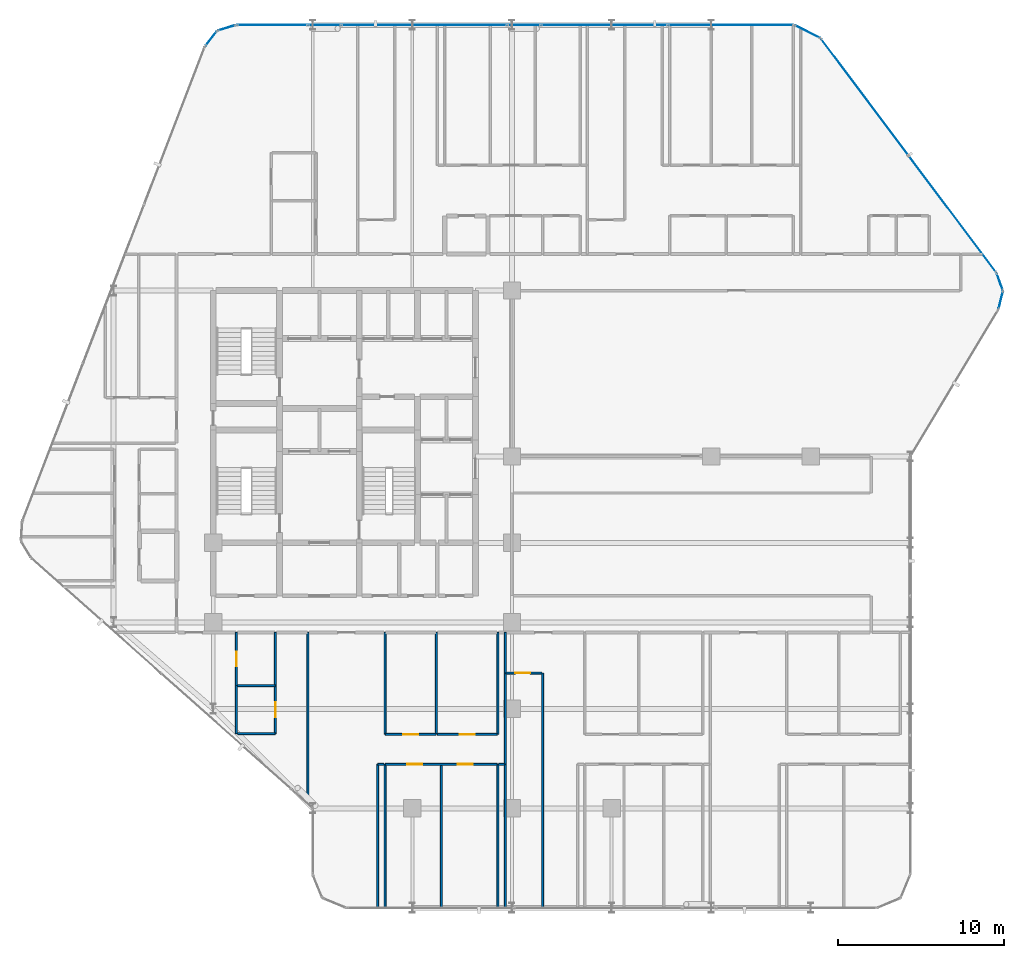
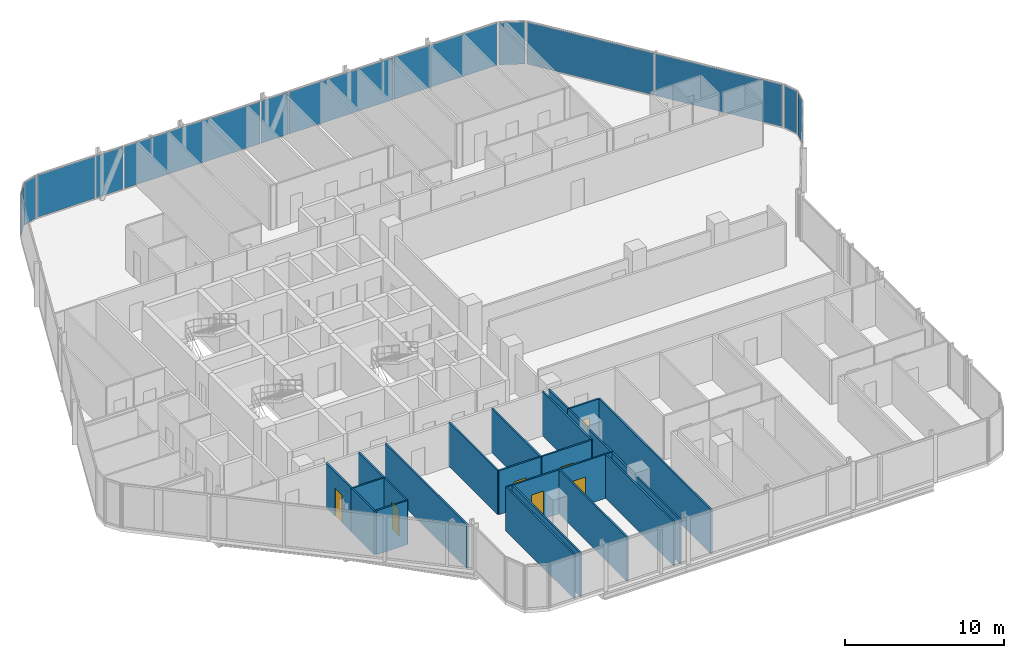
# One storey, part 22 of 29: 24 walls, 13 plates, 7 doors, 7 openings, 11 elements without a shape of their own.
"""IFC4 building model written with IfcOpenShell, lengths in metres."""

from ifc_helpers import new_model, si_unit, direction, frame, frame_2d, origin, origin_2d, place, context, subcontext, project, spatial, rectangle, extrude, material, layer, layer_set, type_object, element, fill, aggregate, save


model = new_model("IFC4")

# Units and contexts
model_context = context("Model", 3, precision=1e-05, world=origin(), true_north=direction((0.0, 1.0)))
body_context = subcontext(model_context, "Body", "Model", "MODEL_VIEW")
ifc_project = project(units=[si_unit("LENGTHUNIT", "METRE"), si_unit("AREAUNIT", "SQUARE_METRE"), si_unit("VOLUMEUNIT", "CUBIC_METRE"), si_unit("PLANEANGLEUNIT", "RADIAN"), si_unit("MASSUNIT", "GRAM", prefix="KILO")], contexts=[model_context])

# Site, building, storey
site_placement = place(None, origin())
site = spatial("IfcSite", under=ifc_project, at=site_placement, CompositionType="ELEMENT")
building_placement = place(site_placement, origin())
building = spatial("IfcBuilding", under=site, at=building_placement, Name="Keshet Zoharim Tower", CompositionType="ELEMENT")
storey_placement = place(building_placement, frame((0.0, 0.0, 94.60009765625)))
storey = spatial("IfcBuildingStorey", under=building, at=storey_placement, Name="L22", CompositionType="ELEMENT", Elevation=94.60009765625)

# Curtain wall, plate
ifc_material_1 = material(Name="Aluminium 6063-T6", Category="aluminium")
ifc_layer_1 = layer(ifc_material_1, 0.159912109375)
ifc_layer_set_1 = layer_set([ifc_layer_1], Name="Aluminium 6063-T6")
curtain_wall_type = type_object("IfcCurtainWallType", Name="CW-SYS-03", PredefinedType="NOTDEFINED", material=ifc_layer_set_1)
curtain_wall_1_placement = place(storey_placement, origin())
curtain_wall_1 = element("IfcCurtainWall", 1, at=curtain_wall_1_placement, inside=storey, type_object=curtain_wall_type, Name="L22 Unitised Curtain Wall 11", PredefinedType="NOTDEFINED")
ifc_material_2 = material(Name="Insulated Low-E Clear Glass", Category="glass")
ifc_layer_2 = layer(ifc_material_2, 0.035888671875)
ifc_layer_set_2 = layer_set([ifc_layer_2], Name="Insulated Low-E Clear Glass")
plate_type_1 = type_object("IfcPlateType", Name="CWP-01", PredefinedType="CURTAIN_PANEL", material=ifc_layer_set_2)
plate_1_placement = place(storey_placement, frame((14.8740234375, 53.08349609375, 0.06982421875), z_axis=(0.0, 0.0, 1.0), x_axis=(0.619124525989, 0.785292825205, 0.0)))
plate_1 = element("IfcPlate", 2, at=plate_1_placement, type_object=plate_type_1, Name="CW-03 panel 1.1", PredefinedType="CURTAIN_PANEL", context=body_context, shape_type="SweptSolid", body=[
    extrude(rectangle(XDim=1.045654296875, YDim=0.035888671875, at=origin_2d()), origin(), (0.0, 0.0, 1.0), 3.2451171875),
])
aggregate(curtain_wall_1, [plate_1])

curtain_wall_2_placement = place(storey_placement, origin())
curtain_wall_2 = element("IfcCurtainWall", 3, at=curtain_wall_2_placement, inside=storey, type_object=curtain_wall_type, Name="L22 Unitised Curtain Wall 12", PredefinedType="NOTDEFINED")
plate_2_placement = place(storey_placement, frame((15.8076171875, 53.724609375, 0.06982421875), z_axis=(0.0, 0.0, 1.0), x_axis=(0.955212151288, 0.295921857984, 0.0)))
plate_2 = element("IfcPlate", 4, at=plate_2_placement, type_object=plate_type_1, Name="CW-03 panel 1.1", PredefinedType="CURTAIN_PANEL", context=body_context, shape_type="SweptSolid", body=[
    extrude(rectangle(XDim=1.046142578125, YDim=0.035888671875, at=origin_2d()), origin(), (0.0, 0.0, 1.0), 3.2451171875),
])
aggregate(curtain_wall_2, [plate_2])

curtain_wall_3_placement = place(storey_placement, origin())
curtain_wall_3 = element("IfcCurtainWall", 5, at=curtain_wall_3_placement, inside=storey, type_object=curtain_wall_type, Name="L22 Unitised Curtain Wall 13", PredefinedType="NOTDEFINED")
ifc_layer_3 = layer(ifc_material_2, 0.031982421875)
ifc_layer_set_3 = layer_set([ifc_layer_3], Name="Insulated Low-E Clear Glass")
plate_type_2 = type_object("IfcPlateType", Name="CWP-02", PredefinedType="CURTAIN_PANEL", material=ifc_layer_set_3)
plate_3_placement = place(storey_placement, frame((18.5556640625, 53.89990234375, 0.06982421875), z_axis=(0.0, 0.0, 1.0), x_axis=(1.0, 0.0, 0.0)))
plate_3 = element("IfcPlate", 6, at=plate_3_placement, type_object=plate_type_2, Name="CW-03 panel 1.1", PredefinedType="CURTAIN_PANEL", context=body_context, shape_type="SweptSolid", body=[
    extrude(rectangle(XDim=4.223388671875, YDim=0.031982421875, at=origin_2d()), origin(), (0.0, 0.0, 1.0), 3.2451171875),
])
aggregate(curtain_wall_3, [plate_3])

curtain_wall_4_placement = place(storey_placement, origin())
curtain_wall_4 = element("IfcCurtainWall", 7, at=curtain_wall_4_placement, inside=storey, type_object=curtain_wall_type, Name="L22 Unitised Curtain Wall 13 Part 3", PredefinedType="NOTDEFINED")
plate_4_placement = place(storey_placement, frame((27.715087890625, 53.89990234375, 0.06982421875), z_axis=(0.0, 0.0, 1.0), x_axis=(1.0, 0.0, 0.0)))
plate_4 = element("IfcPlate", 8, at=plate_4_placement, type_object=plate_type_2, Name="CW-03 panel 1.1", PredefinedType="CURTAIN_PANEL", context=body_context, shape_type="SweptSolid", body=[
    extrude(rectangle(XDim=9.90478515625, YDim=0.031982421875, at=origin_2d()), origin(), (0.0, 0.0, 1.0), 3.2451171875),
])
aggregate(curtain_wall_4, [plate_4])

# Curtain wall, plates
curtain_wall_5_placement = place(storey_placement, origin())
curtain_wall_5 = element("IfcCurtainWall", 9, at=curtain_wall_5_placement, inside=storey, type_object=curtain_wall_type, Name="L22 Unitised Curtain Wall 13 Part 5", PredefinedType="NOTDEFINED")
plate_5_placement = place(storey_placement, frame((38.554443359375, 53.89990234375, 0.06982421875), z_axis=(0.0, 0.0, 1.0), x_axis=(1.0, 0.0, 0.0)))
plate_5 = element("IfcPlate", 10, at=plate_5_placement, type_object=plate_type_2, Name="CW-03 panel 1.1", PredefinedType="CURTAIN_PANEL", context=body_context, shape_type="SweptSolid", body=[
    extrude(rectangle(XDim=7.583740234375, YDim=0.031982421875, at=origin_2d()), origin(), (0.0, 0.0, 1.0), 3.2451171875),
])
plate_6_placement = place(storey_placement, frame((46.173095703125, 53.89990234375, 0.06982421875), z_axis=(0.0, 0.0, 1.0), x_axis=(1.0, 0.0, 0.0)))
plate_6 = element("IfcPlate", 11, at=plate_6_placement, type_object=plate_type_2, Name="CW-03 panel 2.1", PredefinedType="CURTAIN_PANEL", context=body_context, shape_type="SweptSolid", body=[
    extrude(rectangle(XDim=7.513671875, YDim=0.031982421875, at=origin_2d()), origin(), (0.0, 0.0, 1.0), 3.2451171875),
])
aggregate(curtain_wall_5, [plate_5, plate_6])

# Curtain wall, plate
curtain_wall_6_placement = place(storey_placement, origin())
curtain_wall_6 = element("IfcCurtainWall", 12, at=curtain_wall_6_placement, inside=storey, type_object=curtain_wall_type, Name="L22 Unitised Curtain Wall 14", PredefinedType="NOTDEFINED")
plate_7_placement = place(storey_placement, frame((50.800048828125, 53.5, 0.06982421875), z_axis=(0.0, 0.0, 1.0), x_axis=(0.894427191001, -0.447213595499, 0.0)))
plate_7 = element("IfcPlate", 13, at=plate_7_placement, type_object=plate_type_2, Name="CW-03 panel 1.1", PredefinedType="CURTAIN_PANEL", context=body_context, shape_type="SweptSolid", body=[
    extrude(rectangle(XDim=1.64892578125, YDim=0.031982421875, at=origin_2d()), origin(), (0.0, 0.0, 1.0), 3.2451171875),
])
aggregate(curtain_wall_6, [plate_7])

# Curtain wall, plates
curtain_wall_7_placement = place(storey_placement, origin())
curtain_wall_7 = element("IfcCurtainWall", 14, at=curtain_wall_7_placement, inside=storey, type_object=curtain_wall_type, Name="L22 Unitised Curtain Wall 15", PredefinedType="NOTDEFINED")
plate_8_placement = place(storey_placement, frame((54.2587890625, 49.554931640625, 0.06982421875), z_axis=(0.0, 0.0, 1.0), x_axis=(0.600000000002, -0.799999999998, 0.0)))
plate_8 = element("IfcPlate", 15, at=plate_8_placement, type_object=plate_type_2, Name="CW-03 panel 1.1", PredefinedType="CURTAIN_PANEL", context=body_context, shape_type="SweptSolid", body=[
    extrude(rectangle(XDim=8.722412109375, YDim=0.031982421875, at=origin_2d()), origin(), (0.0, 0.0, 1.0), 3.2451171875),
])
plate_9_placement = place(storey_placement, frame((59.5341796875, 42.52099609375, 0.06982421875), z_axis=(0.0, 0.0, 1.0), x_axis=(0.600000000002, -0.799999999998, 0.0)))
plate_9 = element("IfcPlate", 16, at=plate_9_placement, type_object=plate_type_2, Name="CW-03 panel 2.1", PredefinedType="CURTAIN_PANEL", context=body_context, shape_type="SweptSolid", body=[
    extrude(rectangle(XDim=8.722412109375, YDim=0.031982421875, at=origin_2d()), origin(), (0.0, 0.0, 1.0), 3.2451171875),
])
aggregate(curtain_wall_7, [plate_8, plate_9])

# Curtain wall, plate
curtain_wall_8_placement = place(storey_placement, origin())
curtain_wall_8 = element("IfcCurtainWall", 17, at=curtain_wall_8_placement, inside=storey, type_object=curtain_wall_type, Name="L22 Unitised Curtain Wall 16", PredefinedType="NOTDEFINED")
plate_10_placement = place(storey_placement, frame((62.3916015625, 38.427490234375, 0.06982421875), z_axis=(0.0, 0.0, 1.0), x_axis=(0.340297354046, -0.940317877544, 0.0)))
plate_10 = element("IfcPlate", 18, at=plate_10_placement, type_object=plate_type_2, Name="CW-03 panel 1.1", PredefinedType="CURTAIN_PANEL", context=body_context, shape_type="SweptSolid", body=[
    extrude(rectangle(XDim=1.026611328125, YDim=0.031982421875, at=origin_2d()), origin(), (0.0, 0.0, 1.0), 3.2451171875),
])
aggregate(curtain_wall_8, [plate_10])

curtain_wall_9_placement = place(storey_placement, origin())
curtain_wall_9 = element("IfcCurtainWall", 19, at=curtain_wall_9_placement, inside=storey, type_object=curtain_wall_type, Name="L22 Unitised Curtain Wall 17", PredefinedType="NOTDEFINED")
plate_11_placement = place(storey_placement, frame((62.448974609375, 37.31298828125, 0.06982421875), z_axis=(0.0, 0.0, 1.0), x_axis=(-0.241728770141, -0.970343857447, 0.0)))
plate_11 = element("IfcPlate", 20, at=plate_11_placement, type_object=plate_type_2, Name="CW-03 panel 1.1", PredefinedType="CURTAIN_PANEL", context=body_context, shape_type="SweptSolid", body=[
    extrude(rectangle(XDim=1.026611328125, YDim=0.031982421875, at=origin_2d()), origin(), (0.0, 0.0, 1.0), 3.2451171875),
])
aggregate(curtain_wall_9, [plate_11])

curtain_wall_10_placement = place(storey_placement, origin())
curtain_wall_10 = element("IfcCurtainWall", 21, at=curtain_wall_10_placement, inside=storey, type_object=curtain_wall_type, Name="L22 Unitised Curtain Wall 13 Part 2", PredefinedType="NOTDEFINED")
ifc_material_3 = material(Name="Insulated Aluminium Spandrel Panel", Category="aluminium")
ifc_layer_4 = layer(ifc_material_3, 0.031982421875)
ifc_layer_set_4 = layer_set([ifc_layer_4], Name="Insulated Aluminium Spandrel Panel")
plate_type_3 = type_object("IfcPlateType", Name="CWP-05", PredefinedType="CURTAIN_PANEL", material=ifc_layer_set_4)
plate_12_placement = place(storey_placement, frame((21.715087890625, 53.89990234375, 0.06982421875), z_axis=(0.0, 0.0, 1.0), x_axis=(1.0, 0.0, 0.0)))
plate_12 = element("IfcPlate", 22, at=plate_12_placement, type_object=plate_type_3, Name="CW-03 spandrel panel 1.1", PredefinedType="CURTAIN_PANEL", context=body_context, shape_type="SweptSolid", body=[
    extrude(rectangle(XDim=1.955078125, YDim=0.031982421875, at=origin_2d()), origin(), (0.0, 0.0, 1.0), 3.2451171875),
])
aggregate(curtain_wall_10, [plate_12])

curtain_wall_11_placement = place(storey_placement, origin())
curtain_wall_11 = element("IfcCurtainWall", 23, at=curtain_wall_11_placement, inside=storey, type_object=curtain_wall_type, Name="L22 Unitised Curtain Wall 13 Part 4", PredefinedType="NOTDEFINED")
plate_13_placement = place(storey_placement, frame((33.715087890625, 53.89990234375, 0.06982421875), z_axis=(0.0, 0.0, 1.0), x_axis=(1.0, 0.0, 0.0)))
plate_13 = element("IfcPlate", 24, at=plate_13_placement, type_object=plate_type_3, Name="CW-03 spandrel panel 1.1", PredefinedType="CURTAIN_PANEL", context=body_context, shape_type="SweptSolid", body=[
    extrude(rectangle(XDim=1.955078125, YDim=0.031982421875, at=origin_2d()), origin(), (0.0, 0.0, 1.0), 3.2451171875),
])
aggregate(curtain_wall_11, [plate_13])

# Wall, opening, door
ifc_material_4 = material(Name="Gypsum Plasterboard", Category="gypsum")
ifc_layer_5 = layer(ifc_material_4, 0.1201171875)
ifc_layer_set_5 = layer_set([ifc_layer_5], Name="Gypsum Plasterboard")
wall_type_1 = type_object("IfcWallType", Name="WL-PART-120", PredefinedType="PARTITIONING", material=ifc_layer_set_5)
wall_1_placement = place(storey_placement, frame((16.39990234375, 14.10009765625, 0.0), z_axis=(0.0, 0.0, 1.0), x_axis=(0.0, 1.0, 0.0)))
wall_1 = element("IfcWall", 25, at=wall_1_placement, inside=storey, type_object=wall_type_1, Name="L22 Interior Wall 018", PredefinedType="PARTITIONING", context=body_context, shape_type="SweptSolid", body=[
    extrude(rectangle(XDim=3.199951171875, YDim=0.1201171875, at=frame_2d((1.60009765625, 0.0))), origin(), (0.0, 0.0, 1.0), 3.385009765625),
])
opening_1_placement = place(wall_1_placement, frame((1.14990234375, 0.0, 0.0)))
opening_1 = element("IfcOpeningElement", 26, at=opening_1_placement, cuts=wall_1, Name="Opening D-IN90", PredefinedType="OPENING", context=body_context, shape_type="SweptSolid", body=[
    extrude(rectangle(XDim=0.89990234375, YDim=2.14990234375, at=frame_2d((0.449951171875, 1.074951171875))), frame((0.0, 0.070068359375, 0.0), z_axis=(0.0, -1.0, 0.0), x_axis=(1.0, 0.0, 0.0)), (0.0, 0.0, 1.0), 0.14013671875),
])
ifc_material_5 = material(Name="Hardwood Timber", Category="wood")
door_type_1 = type_object("IfcDoorType", Name="DR-INT-090", OperationType="NOTDEFINED", PredefinedType="DOOR", material=ifc_material_5)
door_1_placement = place(opening_1_placement, origin())
door_1 = element("IfcDoor", 27, at=door_1_placement, inside=storey, type_object=door_type_1, Name="Apartment 2201 Kitchenette Door", OperationType="SINGLE_SWING_LEFT", OverallHeight=2.14990234375, OverallWidth=0.89990234375, PredefinedType="DOOR", context=body_context, shape_type="SweptSolid", body=[
    extrude(rectangle(XDim=0.89990234375, YDim=2.14990234375, at=frame_2d((0.449951171875, 1.074951171875))), frame((0.0, 0.02490234375, 0.0), z_axis=(0.0, -1.0, 0.0), x_axis=(1.0, 0.0, 0.0)), (0.0, 0.0, 1.0), 0.050048828125),
])
fill(opening_1, door_1)

# Walls
wall_2_placement = place(storey_placement, frame((18.75, 14.10009765625, 0.0), z_axis=(0.0, 0.0, 1.0), x_axis=(0.0, 1.0, 0.0)))
element("IfcWall", 28, at=wall_2_placement, inside=storey, type_object=wall_type_1, Name="L22 Interior Wall 022", PredefinedType="PARTITIONING", context=body_context, shape_type="SweptSolid", body=[
    extrude(rectangle(XDim=3.199951171875, YDim=0.1201171875, at=frame_2d((1.60009765625, 0.0))), origin(), (0.0, 0.0, 1.0), 3.385009765625),
])
wall_3_placement = place(storey_placement, frame((20.699951171875, 6.97705078125, 0.0), z_axis=(0.0, 0.0, 1.0), x_axis=(0.0, 1.0, 0.0)))
element("IfcWall", 29, at=wall_3_placement, inside=storey, type_object=wall_type_1, Name="L22 Interior Wall 028", PredefinedType="PARTITIONING", context=body_context, shape_type="SweptSolid", body=[
    extrude(rectangle(XDim=10.322998046875, YDim=0.1201171875, at=frame_2d((5.16162109375, 0.0))), origin(), (0.0, 0.0, 1.0), 3.385009765625),
])
for number, where, z_axis, x_axis, name in (
    (30, (24.89990234375, 0.7099609375, 0.0), (0.0, 0.0, 1.0), (0.0, 1.0, 0.0), "L22 Interior Wall 042"),
    (31, (25.35009765625, 0.7099609375, 0.0), (0.0, 0.0, 1.0), (0.0, 1.0, 0.0), "L22 Interior Wall 043"),
):
    element("IfcWall", number, at=place(storey_placement, frame(where, z_axis=z_axis, x_axis=x_axis)), inside=storey, type_object=wall_type_1, Name=name, PredefinedType="PARTITIONING", context=body_context, shape_type="SweptSolid", body=[
        extrude(rectangle(XDim=8.64013671875, YDim=0.1201171875, at=frame_2d((4.320068359375, 0.0))), origin(), (0.0, 0.0, 1.0), 3.385009765625),
    ])
wall_4_placement = place(storey_placement, frame((25.35009765625, 11.14990234375, 0.0), z_axis=(0.0, 0.0, 1.0), x_axis=(0.0, 1.0, 0.0)))
element("IfcWall", 32, at=wall_4_placement, inside=storey, type_object=wall_type_1, Name="L22 Interior Wall 044", PredefinedType="PARTITIONING", context=body_context, shape_type="SweptSolid", body=[
    extrude(rectangle(XDim=6.150146484375, YDim=0.1201171875, at=frame_2d((3.0751953125, 0.0))), origin(), (0.0, 0.0, 1.0), 3.385009765625),
])
for number, where, z_axis, x_axis, name in (
    (33, (28.75, 0.7099609375, 0.0), (0.0, 0.0, 1.0), (0.0, 1.0, 0.0), "L22 Interior Wall 056"),
    (34, (32.14990234375, 0.7099609375, 0.0), (0.0, 0.0, 1.0), (0.0, 1.0, 0.0), "L22 Interior Wall 070"),
    (35, (32.60009765625, 0.7099609375, 0.0), (0.0, 0.0, 1.0), (0.0, 1.0, 0.0), "L22 Interior Wall 072"),
):
    element("IfcWall", number, at=place(storey_placement, frame(where, z_axis=z_axis, x_axis=x_axis)), inside=storey, type_object=wall_type_1, Name=name, PredefinedType="PARTITIONING", context=body_context, shape_type="SweptSolid", body=[
        extrude(rectangle(XDim=8.64013671875, YDim=0.1201171875, at=frame_2d((4.320068359375, 0.0))), origin(), (0.0, 0.0, 1.0), 3.385009765625),
    ])
wall_5_placement = place(storey_placement, frame((32.60009765625, 9.35009765625, 0.0), z_axis=(0.0, 0.0, 1.0), x_axis=(0.0, 1.0, 0.0)))
element("IfcWall", 36, at=wall_5_placement, inside=storey, type_object=wall_type_1, Name="L22 Interior Wall 073", PredefinedType="PARTITIONING", context=body_context, shape_type="SweptSolid", body=[
    extrude(rectangle(XDim=5.5, YDim=0.1201171875, at=frame_2d((2.75, 0.0))), origin(), (0.0, 0.0, 1.0), 3.385009765625),
])
wall_6_placement = place(storey_placement, frame((32.60009765625, 14.85009765625, 0.0), z_axis=(0.0, 0.0, 1.0), x_axis=(0.0, 1.0, 0.0)))
element("IfcWall", 37, at=wall_6_placement, inside=storey, type_object=wall_type_1, Name="L22 Interior Wall 074", PredefinedType="PARTITIONING", context=body_context, shape_type="SweptSolid", body=[
    extrude(rectangle(XDim=2.449951171875, YDim=0.1201171875, at=frame_2d((1.22509765625, 0.0))), origin(), (0.0, 0.0, 1.0), 3.385009765625),
])
wall_7_placement = place(storey_placement, frame((34.85009765625, 0.7099609375, 0.0), z_axis=(0.0, 0.0, 1.0), x_axis=(0.0, 1.0, 0.0)))
element("IfcWall", 38, at=wall_7_placement, inside=storey, type_object=wall_type_1, Name="L22 Interior Wall 078", PredefinedType="PARTITIONING", context=body_context, shape_type="SweptSolid", body=[
    extrude(rectangle(XDim=14.14013671875, YDim=0.1201171875, at=frame_2d((7.070068359375, 0.0))), origin(), (0.0, 0.0, 1.0), 3.385009765625),
])
wall_8_placement = place(storey_placement, frame((24.925048828125, 9.35009765625, 0.0), z_axis=(0.0, 0.0, 1.0), x_axis=(1.0, 0.0, 0.0)))
element("IfcWall", 39, at=wall_8_placement, inside=storey, type_object=wall_type_1, Name="L22 Interior Wall 117", PredefinedType="PARTITIONING", context=body_context, shape_type="SweptSolid", body=[
    extrude(rectangle(XDim=0.35986328125, YDim=0.1201171875, at=frame_2d((0.179931640625, 0.0))), origin(), (0.0, 0.0, 1.0), 3.385009765625),
])

# Wall, openings, doors
wall_9_placement = place(storey_placement, frame((25.375, 9.35009765625, 0.0), z_axis=(0.0, 0.0, 1.0), x_axis=(1.0, 0.0, 0.0)))
wall_9 = element("IfcWall", 40, at=wall_9_placement, inside=storey, type_object=wall_type_1, Name="L22 Interior Wall 118", PredefinedType="PARTITIONING", context=body_context, shape_type="SweptSolid", body=[
    extrude(rectangle(XDim=6.72998046875, YDim=0.1201171875, at=frame_2d((3.364990234375, 0.0))), origin(), (0.0, 0.0, 1.0), 3.385009765625),
])
opening_2_placement = place(wall_9_placement, frame((1.31005859375, 0.0, 0.0)))
opening_2 = element("IfcOpeningElement", 41, at=opening_2_placement, cuts=wall_9, Name="Opening D-IN90", PredefinedType="OPENING", context=body_context, shape_type="SweptSolid", body=[
    extrude(rectangle(XDim=0.89990234375, YDim=2.14990234375, at=frame_2d((0.449951171875, 1.074951171875))), frame((0.0, 0.070068359375, 0.0), z_axis=(0.0, -1.0, 0.0), x_axis=(1.0, 0.0, 0.0)), (0.0, 0.0, 1.0), 0.14013671875),
])
opening_3_placement = place(wall_9_placement, frame((4.3701171875, 0.0, 0.0)))
opening_3 = element("IfcOpeningElement", 42, at=opening_3_placement, cuts=wall_9, Name="Opening D-IN90", PredefinedType="OPENING", context=body_context, shape_type="SweptSolid", body=[
    extrude(rectangle(XDim=0.89990234375, YDim=2.14990234375, at=frame_2d((0.449951171875, 1.074951171875))), frame((0.0, 0.070068359375, 0.0), z_axis=(0.0, -1.0, 0.0), x_axis=(1.0, 0.0, 0.0)), (0.0, 0.0, 1.0), 0.14013671875),
])
door_2_placement = place(opening_2_placement, origin())
door_2 = element("IfcDoor", 43, at=door_2_placement, inside=storey, type_object=door_type_1, Name="Apartment 2202 Bedroom 1 Door", OperationType="SINGLE_SWING_LEFT", OverallHeight=2.14990234375, OverallWidth=0.89990234375, PredefinedType="DOOR", context=body_context, shape_type="SweptSolid", body=[
    extrude(rectangle(XDim=0.89990234375, YDim=2.14990234375, at=frame_2d((0.449951171875, 1.074951171875))), frame((0.0, 0.02490234375, 0.0), z_axis=(0.0, -1.0, 0.0), x_axis=(1.0, 0.0, 0.0)), (0.0, 0.0, 1.0), 0.050048828125),
])
fill(opening_2, door_2)
door_3_placement = place(opening_3_placement, origin())
door_3 = element("IfcDoor", 44, at=door_3_placement, inside=storey, type_object=door_type_1, Name="Apartment 2202 Bedroom 2 Door", OperationType="SINGLE_SWING_RIGHT", OverallHeight=2.14990234375, OverallWidth=0.89990234375, PredefinedType="DOOR", context=body_context, shape_type="SweptSolid", body=[
    extrude(rectangle(XDim=0.89990234375, YDim=2.14990234375, at=frame_2d((0.449951171875, 1.074951171875))), frame((0.0, 0.02490234375, 0.0), z_axis=(0.0, -1.0, 0.0), x_axis=(1.0, 0.0, 0.0)), (0.0, 0.0, 1.0), 0.050048828125),
])
fill(opening_3, door_3)

# Wall
wall_10_placement = place(storey_placement, frame((32.195068359375, 9.35009765625, 0.0), z_axis=(0.0, 0.0, 1.0), x_axis=(1.0, 0.0, 0.0)))
element("IfcWall", 45, at=wall_10_placement, inside=storey, type_object=wall_type_1, Name="L22 Interior Wall 119", PredefinedType="PARTITIONING", context=body_context, shape_type="SweptSolid", body=[
    extrude(rectangle(XDim=0.35986328125, YDim=0.1201171875, at=frame_2d((0.179931640625, 0.0))), origin(), (0.0, 0.0, 1.0), 3.385009765625),
])

# Wall, opening, door
wall_11_placement = place(storey_placement, frame((25.375, 11.14990234375, 0.0), z_axis=(0.0, 0.0, 1.0), x_axis=(1.0, 0.0, 0.0)))
wall_11 = element("IfcWall", 46, at=wall_11_placement, inside=storey, type_object=wall_type_1, Name="L22 Interior Wall 125", PredefinedType="PARTITIONING", context=body_context, shape_type="SweptSolid", body=[
    extrude(rectangle(XDim=3.047119140625, YDim=0.1201171875, at=frame_2d((1.5234375, 0.0))), origin(), (0.0, 0.0, 1.0), 3.385009765625),
])
opening_4_placement = place(wall_11_placement, frame((1.072998046875, 0.0, 0.0)))
opening_4 = element("IfcOpeningElement", 47, at=opening_4_placement, cuts=wall_11, Name="Opening D-IN90", PredefinedType="OPENING", context=body_context, shape_type="SweptSolid", body=[
    extrude(rectangle(XDim=0.89990234375, YDim=2.14990234375, at=frame_2d((0.449951171875, 1.074951171875))), frame((0.0, 0.070068359375, 0.0), z_axis=(0.0, -1.0, 0.0), x_axis=(1.0, 0.0, 0.0)), (0.0, 0.0, 1.0), 0.14013671875),
])
door_4_placement = place(opening_4_placement, origin())
door_4 = element("IfcDoor", 48, at=door_4_placement, inside=storey, type_object=door_type_1, Name="Apartment 2202 Kitchen Door", OperationType="SINGLE_SWING_RIGHT", OverallHeight=2.14990234375, OverallWidth=0.89990234375, PredefinedType="DOOR", context=body_context, shape_type="SweptSolid", body=[
    extrude(rectangle(XDim=0.89990234375, YDim=2.14990234375, at=frame_2d((0.449951171875, 1.074951171875))), frame((0.0, 0.02490234375, 0.0), z_axis=(0.0, -1.0, 0.0), x_axis=(1.0, 0.0, 0.0)), (0.0, 0.0, 1.0), 0.050048828125),
])
fill(opening_4, door_4)

wall_12_placement = place(storey_placement, frame((32.64501953125, 14.85009765625, 0.0), z_axis=(0.0, 0.0, 1.0), x_axis=(1.0, 0.0, 0.0)))
wall_12 = element("IfcWall", 49, at=wall_12_placement, inside=storey, type_object=wall_type_1, Name="L22 Interior Wall 133", PredefinedType="PARTITIONING", context=body_context, shape_type="SweptSolid", body=[
    extrude(rectangle(XDim=2.159912109375, YDim=0.1201171875, at=frame_2d((1.080078125, 0.0))), origin(), (0.0, 0.0, 1.0), 3.385009765625),
])
opening_5_placement = place(wall_12_placement, frame((0.552978515625, 0.0, 0.0)))
opening_5 = element("IfcOpeningElement", 50, at=opening_5_placement, cuts=wall_12, Name="Opening D-IN90", PredefinedType="OPENING", context=body_context, shape_type="SweptSolid", body=[
    extrude(rectangle(XDim=0.89990234375, YDim=2.14990234375, at=frame_2d((0.449951171875, 1.074951171875))), frame((0.0, 0.070068359375, 0.0), z_axis=(0.0, -1.0, 0.0), x_axis=(1.0, 0.0, 0.0)), (0.0, 0.0, 1.0), 0.14013671875),
])
door_5_placement = place(opening_5_placement, origin())
door_5 = element("IfcDoor", 51, at=door_5_placement, inside=storey, type_object=door_type_1, Name="Apartment 2203 Formal Dining Room Door", OperationType="SINGLE_SWING_RIGHT", OverallHeight=2.14990234375, OverallWidth=0.89990234375, PredefinedType="DOOR", context=body_context, shape_type="SweptSolid", body=[
    extrude(rectangle(XDim=0.89990234375, YDim=2.14990234375, at=frame_2d((0.449951171875, 1.074951171875))), frame((0.0, 0.02490234375, 0.0), z_axis=(0.0, -1.0, 0.0), x_axis=(1.0, 0.0, 0.0)), (0.0, 0.0, 1.0), 0.050048828125),
])
fill(opening_5, door_5)

# Wall
ifc_layer_6 = layer(ifc_material_4, 0.1201171875)
ifc_layer_set_6 = layer_set([ifc_layer_6], Name="Gypsum Plasterboard")
wall_type_2 = type_object("IfcWallType", Name="WL-WET-120", PredefinedType="PARTITIONING", material=ifc_layer_set_6)
wall_13_placement = place(storey_placement, frame((16.39990234375, 11.199951171875, 0.0), z_axis=(0.0, 0.0, 1.0), x_axis=(0.0, 1.0, 0.0)))
element("IfcWall", 52, at=wall_13_placement, inside=storey, type_object=wall_type_2, Name="L22 Interior Wall 017", PredefinedType="PARTITIONING", context=body_context, shape_type="SweptSolid", body=[
    extrude(rectangle(XDim=2.900146484375, YDim=0.1201171875, at=frame_2d((1.4501953125, 0.0))), origin(), (0.0, 0.0, 1.0), 3.385009765625),
])

# Wall, opening, door
wall_14_placement = place(storey_placement, frame((18.75, 11.199951171875, 0.0), z_axis=(0.0, 0.0, 1.0), x_axis=(0.0, 1.0, 0.0)))
wall_14 = element("IfcWall", 53, at=wall_14_placement, inside=storey, type_object=wall_type_2, Name="L22 Interior Wall 021", PredefinedType="PARTITIONING", context=body_context, shape_type="SweptSolid", body=[
    extrude(rectangle(XDim=2.900146484375, YDim=0.1201171875, at=frame_2d((1.4501953125, 0.0))), origin(), (0.0, 0.0, 1.0), 3.385009765625),
])
opening_6_placement = place(wall_14_placement, frame((1.0, 0.0, 0.0)))
opening_6 = element("IfcOpeningElement", 54, at=opening_6_placement, cuts=wall_14, Name="Opening D-WT90", PredefinedType="OPENING", context=body_context, shape_type="SweptSolid", body=[
    extrude(rectangle(XDim=0.89990234375, YDim=2.10009765625, at=frame_2d((0.449951171875, 1.050048828125))), frame((0.0, 0.070068359375, 0.0), z_axis=(0.0, -1.0, 0.0), x_axis=(1.0, 0.0, 0.0)), (0.0, 0.0, 1.0), 0.14013671875),
])
door_type_2 = type_object("IfcDoorType", Name="DR-WET-090", OperationType="NOTDEFINED", PredefinedType="DOOR", material=ifc_material_5)
door_6_placement = place(opening_6_placement, origin())
door_6 = element("IfcDoor", 55, at=door_6_placement, inside=storey, type_object=door_type_2, Name="Apartment 2201 Bathroom Door", OperationType="SINGLE_SWING_LEFT", OverallHeight=2.10009765625, OverallWidth=0.89990234375, PredefinedType="DOOR", context=body_context, shape_type="SweptSolid", body=[
    extrude(rectangle(XDim=0.89990234375, YDim=2.10009765625, at=frame_2d((0.449951171875, 1.050048828125))), frame((0.0, 0.02490234375, 0.0), z_axis=(0.0, -1.0, 0.0), x_axis=(1.0, 0.0, 0.0)), (0.0, 0.0, 1.0), 0.050048828125),
])
fill(opening_6, door_6)

# Walls
for number, where, z_axis, x_axis, name in (
    (56, (28.449951171875, 11.14990234375, 0.0), (0.0, 0.0, 1.0), (0.0, 1.0, 0.0), "L22 Interior Wall 053"),
    (57, (32.14990234375, 11.14990234375, 0.0), (0.0, 0.0, 1.0), (0.0, 1.0, 0.0), "L22 Interior Wall 071"),
):
    element("IfcWall", number, at=place(storey_placement, frame(where, z_axis=z_axis, x_axis=x_axis)), inside=storey, type_object=wall_type_2, Name=name, PredefinedType="PARTITIONING", context=body_context, shape_type="SweptSolid", body=[
        extrude(rectangle(XDim=6.150146484375, YDim=0.1201171875, at=frame_2d((3.0751953125, 0.0))), origin(), (0.0, 0.0, 1.0), 3.385009765625),
    ])

# Wall, opening, door
wall_15_placement = place(storey_placement, frame((28.511962890625, 11.14990234375, 0.0), z_axis=(0.0, 0.0, 1.0), x_axis=(1.0, 0.0, 0.0)))
wall_15 = element("IfcWall", 58, at=wall_15_placement, inside=storey, type_object=wall_type_2, Name="L22 Interior Wall 126", PredefinedType="PARTITIONING", context=body_context, shape_type="SweptSolid", body=[
    extrude(rectangle(XDim=3.593017578125, YDim=0.1201171875, at=frame_2d((1.79638671875, 0.0))), origin(), (0.0, 0.0, 1.0), 3.385009765625),
])
opening_7_placement = place(wall_15_placement, frame((1.345947265625, 0.0, 0.0)))
opening_7 = element("IfcOpeningElement", 59, at=opening_7_placement, cuts=wall_15, Name="Opening D-WT90", PredefinedType="OPENING", context=body_context, shape_type="SweptSolid", body=[
    extrude(rectangle(XDim=0.89990234375, YDim=2.10009765625, at=frame_2d((0.449951171875, 1.050048828125))), frame((0.0, 0.070068359375, 0.0), z_axis=(0.0, -1.0, 0.0), x_axis=(1.0, 0.0, 0.0)), (0.0, 0.0, 1.0), 0.14013671875),
])
door_7_placement = place(opening_7_placement, origin())
door_7 = element("IfcDoor", 60, at=door_7_placement, inside=storey, type_object=door_type_2, Name="Apartment 2202 Bathroom Door", OperationType="SINGLE_SWING_LEFT", OverallHeight=2.10009765625, OverallWidth=0.89990234375, PredefinedType="DOOR", context=body_context, shape_type="SweptSolid", body=[
    extrude(rectangle(XDim=0.89990234375, YDim=2.10009765625, at=frame_2d((0.449951171875, 1.050048828125))), frame((0.0, 0.02490234375, 0.0), z_axis=(0.0, -1.0, 0.0), x_axis=(1.0, 0.0, 0.0)), (0.0, 0.0, 1.0), 0.050048828125),
])
fill(opening_7, door_7)

# Walls
for number, where, z_axis, x_axis, name in (
    (61, (16.465087890625, 11.199951171875, 0.0), (0.0, 0.0, 1.0), (1.0, 0.0, 0.0), "L22 Interior Wall 131"),
    (62, (16.465087890625, 14.10009765625, 0.0), (0.0, 0.0, 1.0), (1.0, 0.0, 0.0), "L22 Interior Wall 132"),
):
    element("IfcWall", number, at=place(storey_placement, frame(where, z_axis=z_axis, x_axis=x_axis)), inside=storey, type_object=wall_type_2, Name=name, PredefinedType="PARTITIONING", context=body_context, shape_type="SweptSolid", body=[
        extrude(rectangle(XDim=2.260009765625, YDim=0.1201171875, at=frame_2d((1.1298828125, 0.0))), origin(), (0.0, 0.0, 1.0), 3.385009765625),
    ])

save(model, "model.ifc")
